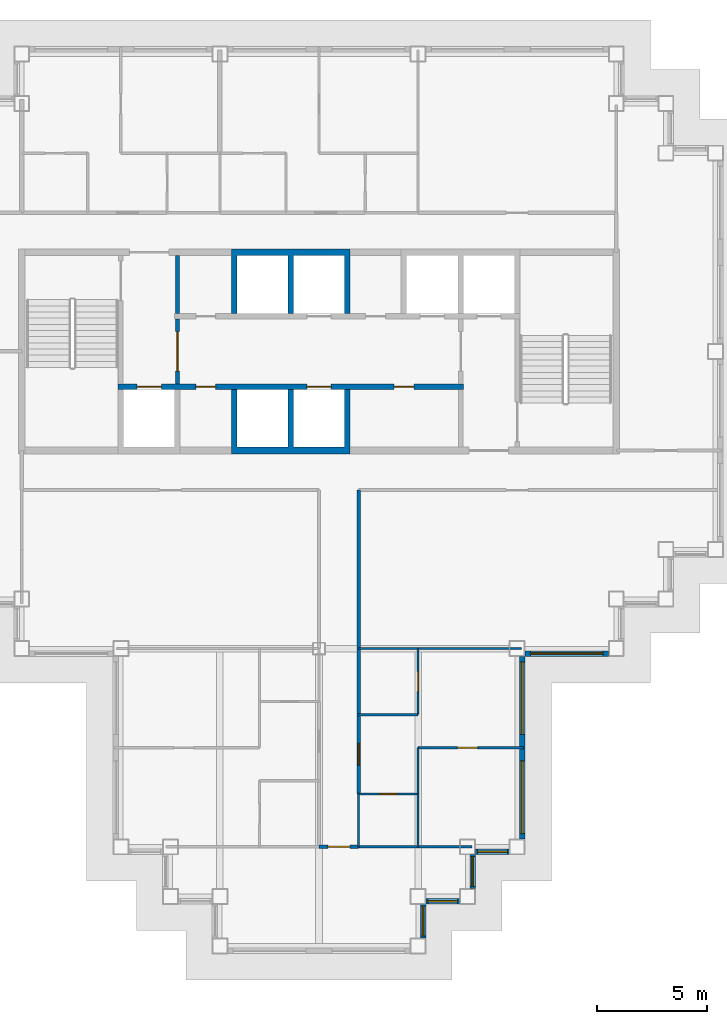
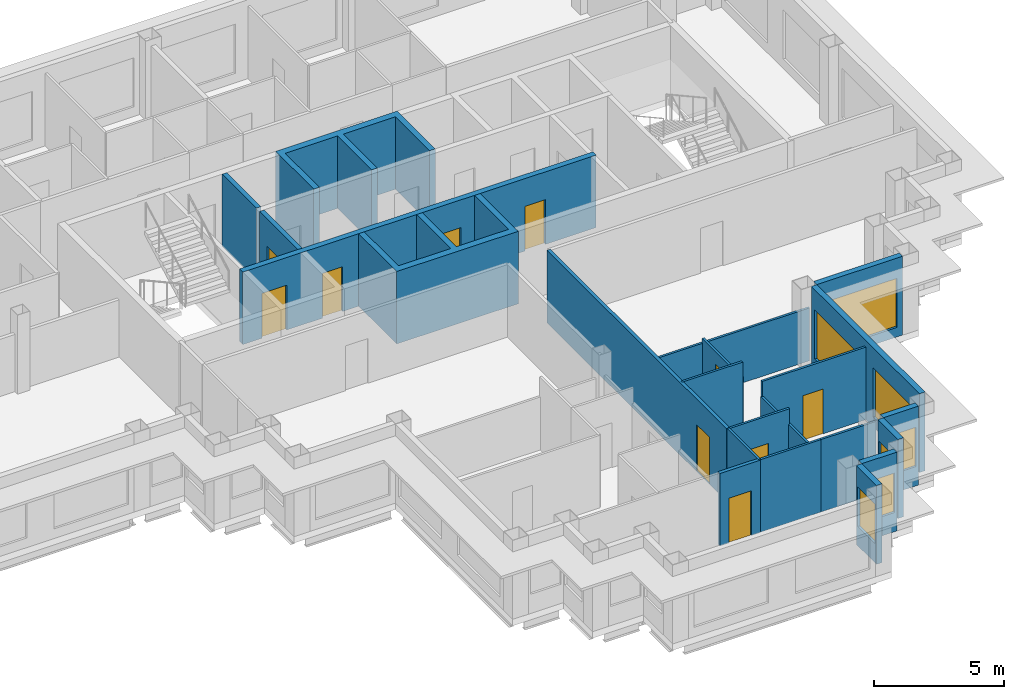
# One storey, part 4 of 11: 23 walls, 10 doors, 7 windows, 17 openings.
"""IFC4 building model written with IfcOpenShell, lengths in metres."""

from ifc_helpers import new_model, si_unit, direction, frame, frame_2d, origin, place, context, subcontext, project, spatial, polyline, rectangle, outline, extrude, material, layer, layer_set, type_object, element, fill, save


model = new_model("IFC4")

# Units and contexts
model_context = context("Model", 3, precision=1e-05, world=origin(), true_north=direction((0.0, 1.0)))
body_context = subcontext(model_context, "Body", "Model", "MODEL_VIEW")
ifc_project = project(units=[si_unit("LENGTHUNIT", "METRE"), si_unit("AREAUNIT", "SQUARE_METRE"), si_unit("VOLUMEUNIT", "CUBIC_METRE"), si_unit("PLANEANGLEUNIT", "RADIAN"), si_unit("MASSUNIT", "GRAM", prefix="KILO")], contexts=[model_context])

# Site, building, storey
site_placement = place(None, origin())
site = spatial("IfcSite", under=ifc_project, at=site_placement, CompositionType="ELEMENT")
building_placement = place(site_placement, origin())
building = spatial("IfcBuilding", under=site, at=building_placement, Name="Caravel Reach Hotel and Residences", CompositionType="ELEMENT")
storey_placement = place(building_placement, frame((0.0, 0.0, 210.89990234375)))
storey = spatial("IfcBuildingStorey", under=building, at=storey_placement, Name="L53", CompositionType="ELEMENT", Elevation=210.89990234375)

# Wall
ifc_material_1 = material(Name="Gypsum board on steel stud", Category="steel")
ifc_layer_1 = layer(ifc_material_1, 0.10009765625)
ifc_layer_set_1 = layer_set([ifc_layer_1], Name="Bathroom pod wall 100 mm")
wall_type_1 = type_object("IfcWallType", Name="Bathroom pod wall 100 mm", PredefinedType="PARTITIONING", material=ifc_layer_set_1)
wall_1_placement = place(storey_placement, frame((33.300048828125, 4.5, 0.0), z_axis=(0.0, 0.0, 1.0), x_axis=(1.0, 0.0, 0.0)))
element("IfcWall", 1, at=wall_1_placement, inside=storey, type_object=wall_type_1, Name="L53 wall w072", PredefinedType="PARTITIONING", context=body_context, shape_type="SweptSolid", body=[
    extrude(rectangle(XDim=2.699951171875, YDim=0.10009765625, at=frame_2d((1.35009765625, 0.0))), origin(), (0.0, 0.0, 1.0), 3.400146484375),
])

# Wall, opening, door
wall_2_placement = place(storey_placement, frame((33.300048828125, 6.89990234375, 0.0), z_axis=(0.0, 0.0, 1.0), x_axis=(1.0, 0.0, 0.0)))
wall_2 = element("IfcWall", 2, at=wall_2_placement, inside=storey, type_object=wall_type_1, Name="L53 wall w073", PredefinedType="PARTITIONING", context=body_context, shape_type="SweptSolid", body=[
    extrude(rectangle(XDim=2.699951171875, YDim=0.10009765625, at=frame_2d((1.35009765625, 0.0))), origin(), (0.0, 0.0, 1.0), 3.400146484375),
])
opening_1_placement = place(wall_2_placement, frame((0.949951171875, 0.0, 0.0)))
opening_1 = element("IfcOpeningElement", 3, at=opening_1_placement, cuts=wall_2, Name="Opening D53-037", PredefinedType="OPENING", context=body_context, shape_type="SweptSolid", body=[
    extrude(rectangle(XDim=0.800048828125, YDim=2.10009765625, at=frame_2d((0.39990234375, 1.050048828125))), frame((0.0, 0.06005859375, 0.0), z_axis=(0.0, -1.0, 0.0), x_axis=(1.0, 0.0, 0.0)), (0.0, 0.0, 1.0), 0.1201171875),
])
ifc_material_2 = material(Name="Timber and steel door leaf", Category="steel")
door_type_1 = type_object("IfcDoorType", Name="Bathroom door 800 x 2100", OperationType="SINGLE_SWING_LEFT", PredefinedType="DOOR", material=ifc_material_2)
door_1_placement = place(opening_1_placement, origin())
door_1 = element("IfcDoor", 4, at=door_1_placement, inside=storey, type_object=door_type_1, Name="door D53-037", OperationType="SINGLE_SWING_RIGHT", OverallHeight=2.10009765625, OverallWidth=0.800048828125, PredefinedType="DOOR", context=body_context, shape_type="SweptSolid", body=[
    extrude(rectangle(XDim=0.800048828125, YDim=2.10009765625, at=frame_2d((0.39990234375, 1.050048828125))), frame((0.0, 0.02490234375, 0.0), z_axis=(0.0, -1.0, 0.0), x_axis=(1.0, 0.0, 0.0)), (0.0, 0.0, 1.0), 0.050048828125),
])
fill(opening_1, door_1)

# Walls
wall_3_placement = place(storey_placement, frame((33.300048828125, 4.5, 0.0), z_axis=(0.0, 0.0, 1.0), x_axis=(0.0, 1.0, 0.0)))
element("IfcWall", 5, at=wall_3_placement, inside=storey, type_object=wall_type_1, Name="L53 wall w078", PredefinedType="PARTITIONING", context=body_context, shape_type="SweptSolid", body=[
    extrude(rectangle(XDim=2.39990234375, YDim=0.10009765625, at=frame_2d((1.199951171875, 0.0))), origin(), (0.0, 0.0, 1.0), 3.400146484375),
])
wall_4_placement = place(storey_placement, frame((36.0, 4.5, 0.0), z_axis=(0.0, 0.0, 1.0), x_axis=(0.0, 1.0, 0.0)))
element("IfcWall", 6, at=wall_4_placement, inside=storey, type_object=wall_type_1, Name="L53 wall w081", PredefinedType="PARTITIONING", context=body_context, shape_type="SweptSolid", body=[
    extrude(rectangle(XDim=2.39990234375, YDim=0.10009765625, at=frame_2d((1.199951171875, 0.0))), origin(), (0.0, 0.0, 1.0), 2.68017578125),
])
ifc_material_3 = material(Name="Autoclaved aerated block wall")
ifc_layer_2 = layer(ifc_material_3, 0.199951171875)
ifc_layer_set_2 = layer_set([ifc_layer_2], Name="Compartment wall 200 mm EI 120")
wall_type_2 = type_object("IfcWallType", Name="Compartment wall 200 mm EI 120", PredefinedType="PARTITIONING", material=ifc_layer_set_2)
wall_5_placement = place(storey_placement, frame((25.071533203125, 28.72509765625, 0.0), z_axis=(0.0, 0.0, 1.0), x_axis=(0.0, 1.0, 0.0)))
element("IfcWall", 7, at=wall_5_placement, inside=storey, type_object=wall_type_2, Name="L53 store partition", PredefinedType="PARTITIONING", context=body_context, shape_type="SweptSolid", body=[
    extrude(rectangle(XDim=2.625, YDim=0.199951171875, at=frame_2d((1.3125, 0.0))), origin(), (0.0, 0.0, 1.0), 3.400146484375),
])

# Wall, opening, door
ifc_material_4 = material(Name="Gypsum board on steel stud, fire-rated", Category="steel")
ifc_layer_3 = layer(ifc_material_4, 0.14990234375)
ifc_layer_set_3 = layer_set([ifc_layer_3], Name="Corridor wall 150 mm EI 60")
wall_type_3 = type_object("IfcWallType", Name="Corridor wall 150 mm EI 60", PredefinedType="PARTITIONING", material=ifc_layer_set_3)
wall_6_placement = place(storey_placement, frame((31.5, 4.5, 0.0), z_axis=(0.0, 0.0, 1.0), x_axis=(1.0, 0.0, 0.0)))
wall_6 = element("IfcWall", 8, at=wall_6_placement, inside=storey, type_object=wall_type_3, Name="L53 wall w016", PredefinedType="PARTITIONING", context=body_context, shape_type="SweptSolid", body=[
    extrude(rectangle(XDim=1.800048828125, YDim=0.14990234375, at=frame_2d((0.89990234375, 0.0))), origin(), (0.0, 0.0, 1.0), 3.400146484375),
])
opening_2_placement = place(wall_6_placement, frame((0.39990234375, 0.0, 0.0)))
opening_2 = element("IfcOpeningElement", 9, at=opening_2_placement, cuts=wall_6, Name="Opening D53-042", PredefinedType="OPENING", context=body_context, shape_type="SweptSolid", body=[
    extrude(rectangle(XDim=1.0, YDim=2.10009765625, at=frame_2d((0.5, 1.050048828125))), frame((0.0, 0.0849609375, 0.0), z_axis=(0.0, -1.0, 0.0), x_axis=(1.0, 0.0, 0.0)), (0.0, 0.0, 1.0), 0.169921875),
])
ifc_material_5 = material(Name="Steel fire door leaf", Category="steel")
door_type_2 = type_object("IfcDoorType", Name="Fire door 1000 x 2100 EI 60", OperationType="SINGLE_SWING_LEFT", PredefinedType="DOOR", material=ifc_material_5)
door_2_placement = place(opening_2_placement, origin())
door_2 = element("IfcDoor", 10, at=door_2_placement, inside=storey, type_object=door_type_2, Name="door D53-042", OperationType="SINGLE_SWING_LEFT", OverallHeight=2.10009765625, OverallWidth=1.0, PredefinedType="DOOR", context=body_context, shape_type="SweptSolid", body=[
    extrude(rectangle(XDim=1.0, YDim=2.10009765625, at=frame_2d((0.5, 1.050048828125))), frame((0.0, 0.02490234375, 0.0), z_axis=(0.0, -1.0, 0.0), x_axis=(1.0, 0.0, 0.0)), (0.0, 0.0, 1.0), 0.050048828125),
])
fill(opening_2, door_2)

wall_7_placement = place(storey_placement, frame((33.300048828125, 6.89990234375, 0.0), z_axis=(0.0, 0.0, 1.0), x_axis=(0.0, 1.0, 0.0)))
wall_7 = element("IfcWall", 11, at=wall_7_placement, inside=storey, type_object=wall_type_3, Name="L53 wall w022", PredefinedType="PARTITIONING", context=body_context, shape_type="SweptSolid", body=[
    extrude(rectangle(XDim=13.799072265625, YDim=0.14990234375, at=frame_2d((6.8994140625, 0.0))), origin(), (0.0, 0.0, 1.0), 3.400146484375),
])
opening_3_placement = place(wall_7_placement, frame((1.300048828125, 0.0, 0.0)))
opening_3 = element("IfcOpeningElement", 12, at=opening_3_placement, cuts=wall_7, Name="Opening D53-036", PredefinedType="OPENING", context=body_context, shape_type="SweptSolid", body=[
    extrude(rectangle(XDim=1.0, YDim=2.199951171875, at=frame_2d((0.5, 1.10009765625))), frame((0.0, 0.0849609375, 0.0), z_axis=(0.0, -1.0, 0.0), x_axis=(1.0, 0.0, 0.0)), (0.0, 0.0, 1.0), 0.169921875),
])
ifc_material_6 = material(Name="Steel fire door leaf", Category="steel")
door_type_3 = type_object("IfcDoorType", Name="Flat entrance door 1000 x 2200 EI 60", OperationType="SINGLE_SWING_LEFT", PredefinedType="DOOR", material=ifc_material_6)
door_3_placement = place(opening_3_placement, origin())
door_3 = element("IfcDoor", 13, at=door_3_placement, inside=storey, type_object=door_type_3, Name="door D53-036", OperationType="SINGLE_SWING_RIGHT", OverallHeight=2.199951171875, OverallWidth=1.0, PredefinedType="DOOR", context=body_context, shape_type="SweptSolid", body=[
    extrude(rectangle(XDim=1.0, YDim=2.199951171875, at=frame_2d((0.5, 1.10009765625))), frame((0.0, 0.02490234375, 0.0), z_axis=(0.0, -1.0, 0.0), x_axis=(1.0, 0.0, 0.0)), (0.0, 0.0, 1.0), 0.050048828125),
])
fill(opening_3, door_3)

# Wall, opening, window
ifc_material_7 = material(Name="Insulated rainscreen wall, aluminium cladding", Category="aluminium")
ifc_layer_4 = layer(ifc_material_7, 0.25)
ifc_layer_set_4 = layer_set([ifc_layer_4], Name="EW1 Tower rainscreen wall")
wall_type_4 = type_object("IfcWallType", Name="EW1 Tower rainscreen wall", PredefinedType="SOLIDWALL", material=ifc_layer_set_4)
wall_8_placement = place(storey_placement, frame((40.85009765625, 13.27490234375, 0.0), z_axis=(0.0, 0.0, 1.0), x_axis=(1.0, 0.0, 0.0)))
wall_8 = element("IfcWall", 14, at=wall_8_placement, inside=storey, type_object=wall_type_4, Name="External wall L53 S1.1", PredefinedType="SOLIDWALL", context=body_context, shape_type="SweptSolid", body=[
    extrude(rectangle(XDim=3.7998046875, YDim=0.25, at=frame_2d((1.89990234375, 0.0))), origin(), (0.0, 0.0, 1.0), 3.7001953125),
])
opening_4_placement = place(wall_8_placement, frame((0.25, 0.0, 0.449951171875)))
opening_4 = element("IfcOpeningElement", 15, at=opening_4_placement, cuts=wall_8, Name="Opening WN15", PredefinedType="OPENING", context=body_context, shape_type="SweptSolid", body=[
    extrude(rectangle(XDim=3.300048828125, YDim=2.300048828125, at=frame_2d((1.64990234375, 1.14990234375))), frame((0.0, 0.135009765625, 0.0), z_axis=(0.0, -1.0, 0.0), x_axis=(1.0, 0.0, 0.0)), (0.0, 0.0, 1.0), 0.27001953125),
])
ifc_material_8 = material(Name="Dark low-e glazing in black aluminium frame", Category="aluminium")
window_type_1 = type_object("IfcWindowType", Name="Residence living window 3300 x 2300", PartitioningType="SINGLE_PANEL", PredefinedType="WINDOW", material=ifc_material_8)
window_1_placement = place(opening_4_placement, origin())
window_1 = element("IfcWindow", 16, at=window_1_placement, inside=storey, type_object=window_type_1, Name="Window L53 S1.1.1", OverallHeight=2.300048828125, OverallWidth=3.300048828125, PartitioningType="SINGLE_PANEL", PredefinedType="WINDOW", context=body_context, shape_type="SweptSolid", body=[
    extrude(rectangle(XDim=3.300048828125, YDim=2.300048828125, at=frame_2d((1.64990234375, 1.14990234375))), frame((0.0, 0.030029296875, 0.0), z_axis=(0.0, -1.0, 0.0), x_axis=(1.0, 0.0, 0.0)), (0.0, 0.0, 1.0), 0.06005859375),
])
fill(opening_4, window_1)

wall_9_placement = place(storey_placement, frame((36.22509765625, 0.35009765625, 0.0), z_axis=(0.0, 0.0, 1.0), x_axis=(0.0, 1.0, 0.0)))
wall_9 = element("IfcWall", 17, at=wall_9_placement, inside=storey, type_object=wall_type_4, Name="External wall L53 E36.1", PredefinedType="SOLIDWALL", context=body_context, shape_type="SweptSolid", body=[
    extrude(rectangle(XDim=1.5498046875, YDim=0.25, at=frame_2d((0.77490234375, 0.0))), origin(), (0.0, 0.0, 1.0), 3.7001953125),
])
opening_5_placement = place(wall_9_placement, frame((0.10009765625, 0.0, 0.89990234375)))
opening_5 = element("IfcOpeningElement", 18, at=opening_5_placement, cuts=wall_9, Name="Opening WN21", PredefinedType="OPENING", context=body_context, shape_type="SweptSolid", body=[
    extrude(rectangle(XDim=1.35009765625, YDim=1.85009765625, at=frame_2d((0.675048828125, 0.925048828125))), frame((0.0, 0.135009765625, 0.0), z_axis=(0.0, -1.0, 0.0), x_axis=(1.0, 0.0, 0.0)), (0.0, 0.0, 1.0), 0.27001953125),
])
ifc_material_9 = material(Name="Dark low-e glazing in black aluminium frame", Category="aluminium")
window_type_2 = type_object("IfcWindowType", Name="Residence bedroom window 1350 x 1850", PartitioningType="SINGLE_PANEL", PredefinedType="WINDOW", material=ifc_material_9)
window_2_placement = place(opening_5_placement, origin())
window_2 = element("IfcWindow", 19, at=window_2_placement, inside=storey, type_object=window_type_2, Name="Window L53 E36.1.1", OverallHeight=1.85009765625, OverallWidth=1.35009765625, PartitioningType="SINGLE_PANEL", PredefinedType="WINDOW", context=body_context, shape_type="SweptSolid", body=[
    extrude(rectangle(XDim=1.35009765625, YDim=1.85009765625, at=frame_2d((0.675048828125, 0.925048828125))), frame((0.0, 0.030029296875, 0.0), z_axis=(0.0, -1.0, 0.0), x_axis=(1.0, 0.0, 0.0)), (0.0, 0.0, 1.0), 0.06005859375),
])
fill(opening_5, window_2)

wall_10_placement = place(storey_placement, frame((36.35009765625, 2.02490234375, 0.0), z_axis=(0.0, 0.0, 1.0), x_axis=(1.0, 0.0, 0.0)))
wall_10 = element("IfcWall", 20, at=wall_10_placement, inside=storey, type_object=wall_type_4, Name="External wall L53 S37.1", PredefinedType="SOLIDWALL", context=body_context, shape_type="SweptSolid", body=[
    extrude(rectangle(XDim=1.5498046875, YDim=0.25, at=frame_2d((0.77490234375, 0.0))), origin(), (0.0, 0.0, 1.0), 3.7001953125),
])
opening_6_placement = place(wall_10_placement, frame((0.10009765625, 0.0, 0.89990234375)))
opening_6 = element("IfcOpeningElement", 21, at=opening_6_placement, cuts=wall_10, Name="Opening WN21", PredefinedType="OPENING", context=body_context, shape_type="SweptSolid", body=[
    extrude(rectangle(XDim=1.35009765625, YDim=1.85009765625, at=frame_2d((0.675048828125, 0.925048828125))), frame((0.0, 0.135009765625, 0.0), z_axis=(0.0, -1.0, 0.0), x_axis=(1.0, 0.0, 0.0)), (0.0, 0.0, 1.0), 0.27001953125),
])
window_3_placement = place(opening_6_placement, origin())
window_3 = element("IfcWindow", 22, at=window_3_placement, inside=storey, type_object=window_type_2, Name="Window L53 S37.1.1", OverallHeight=1.85009765625, OverallWidth=1.35009765625, PartitioningType="SINGLE_PANEL", PredefinedType="WINDOW", context=body_context, shape_type="SweptSolid", body=[
    extrude(rectangle(XDim=1.35009765625, YDim=1.85009765625, at=frame_2d((0.675048828125, 0.925048828125))), frame((0.0, 0.030029296875, 0.0), z_axis=(0.0, -1.0, 0.0), x_axis=(1.0, 0.0, 0.0)), (0.0, 0.0, 1.0), 0.06005859375),
])
fill(opening_6, window_3)

wall_11_placement = place(storey_placement, frame((38.47509765625, 2.60009765625, 0.0), z_axis=(0.0, 0.0, 1.0), x_axis=(0.0, 1.0, 0.0)))
wall_11 = element("IfcWall", 23, at=wall_11_placement, inside=storey, type_object=wall_type_4, Name="External wall L53 E38.1", PredefinedType="SOLIDWALL", context=body_context, shape_type="SweptSolid", body=[
    extrude(rectangle(XDim=1.5498046875, YDim=0.25, at=frame_2d((0.77490234375, 0.0))), origin(), (0.0, 0.0, 1.0), 3.7001953125),
])
opening_7_placement = place(wall_11_placement, frame((0.10009765625, 0.0, 0.89990234375)))
opening_7 = element("IfcOpeningElement", 24, at=opening_7_placement, cuts=wall_11, Name="Opening WN21", PredefinedType="OPENING", context=body_context, shape_type="SweptSolid", body=[
    extrude(rectangle(XDim=1.35009765625, YDim=1.85009765625, at=frame_2d((0.675048828125, 0.925048828125))), frame((0.0, 0.135009765625, 0.0), z_axis=(0.0, -1.0, 0.0), x_axis=(1.0, 0.0, 0.0)), (0.0, 0.0, 1.0), 0.27001953125),
])
window_4_placement = place(opening_7_placement, origin())
window_4 = element("IfcWindow", 25, at=window_4_placement, inside=storey, type_object=window_type_2, Name="Window L53 E38.1.1", OverallHeight=1.85009765625, OverallWidth=1.35009765625, PartitioningType="SINGLE_PANEL", PredefinedType="WINDOW", context=body_context, shape_type="SweptSolid", body=[
    extrude(rectangle(XDim=1.35009765625, YDim=1.85009765625, at=frame_2d((0.675048828125, 0.925048828125))), frame((0.0, 0.030029296875, 0.0), z_axis=(0.0, -1.0, 0.0), x_axis=(1.0, 0.0, 0.0)), (0.0, 0.0, 1.0), 0.06005859375),
])
fill(opening_7, window_4)

wall_12_placement = place(storey_placement, frame((38.60009765625, 4.27490234375, 0.0), z_axis=(0.0, 0.0, 1.0), x_axis=(1.0, 0.0, 0.0)))
wall_12 = element("IfcWall", 26, at=wall_12_placement, inside=storey, type_object=wall_type_4, Name="External wall L53 S39.1", PredefinedType="SOLIDWALL", context=body_context, shape_type="SweptSolid", body=[
    extrude(rectangle(XDim=1.5498046875, YDim=0.25, at=frame_2d((0.77490234375, 0.0))), origin(), (0.0, 0.0, 1.0), 3.7001953125),
])
opening_8_placement = place(wall_12_placement, frame((0.10009765625, 0.0, 0.89990234375)))
opening_8 = element("IfcOpeningElement", 27, at=opening_8_placement, cuts=wall_12, Name="Opening WN21", PredefinedType="OPENING", context=body_context, shape_type="SweptSolid", body=[
    extrude(rectangle(XDim=1.35009765625, YDim=1.85009765625, at=frame_2d((0.675048828125, 0.925048828125))), frame((0.0, 0.135009765625, 0.0), z_axis=(0.0, -1.0, 0.0), x_axis=(1.0, 0.0, 0.0)), (0.0, 0.0, 1.0), 0.27001953125),
])
window_5_placement = place(opening_8_placement, origin())
window_5 = element("IfcWindow", 28, at=window_5_placement, inside=storey, type_object=window_type_2, Name="Window L53 S39.1.1", OverallHeight=1.85009765625, OverallWidth=1.35009765625, PartitioningType="SINGLE_PANEL", PredefinedType="WINDOW", context=body_context, shape_type="SweptSolid", body=[
    extrude(rectangle(XDim=1.35009765625, YDim=1.85009765625, at=frame_2d((0.675048828125, 0.925048828125))), frame((0.0, 0.030029296875, 0.0), z_axis=(0.0, -1.0, 0.0), x_axis=(1.0, 0.0, 0.0)), (0.0, 0.0, 1.0), 0.06005859375),
])
fill(opening_8, window_5)

# Wall, openings, windows
wall_13_placement = place(storey_placement, frame((40.72509765625, 4.85009765625, 0.0), z_axis=(0.0, 0.0, 1.0), x_axis=(0.0, 1.0, 0.0)))
wall_13 = element("IfcWall", 29, at=wall_13_placement, inside=storey, type_object=wall_type_4, Name="External wall L53 E40.1", PredefinedType="SOLIDWALL", context=body_context, shape_type="SweptSolid", body=[
    extrude(rectangle(XDim=8.2998046875, YDim=0.25, at=frame_2d((4.14990234375, 0.0))), origin(), (0.0, 0.0, 1.0), 3.7001953125),
])
opening_9_placement = place(wall_13_placement, frame((0.25, 0.0, 0.449951171875)))
opening_9 = element("IfcOpeningElement", 30, at=opening_9_placement, cuts=wall_13, Name="Opening WN15", PredefinedType="OPENING", context=body_context, shape_type="SweptSolid", body=[
    extrude(rectangle(XDim=3.300048828125, YDim=2.300048828125, at=frame_2d((1.64990234375, 1.14990234375))), frame((0.0, 0.135009765625, 0.0), z_axis=(0.0, -1.0, 0.0), x_axis=(1.0, 0.0, 0.0)), (0.0, 0.0, 1.0), 0.27001953125),
])
opening_10_placement = place(wall_13_placement, frame((4.75, 0.0, 0.449951171875)))
opening_10 = element("IfcOpeningElement", 31, at=opening_10_placement, cuts=wall_13, Name="Opening WN15", PredefinedType="OPENING", context=body_context, shape_type="SweptSolid", body=[
    extrude(rectangle(XDim=3.300048828125, YDim=2.300048828125, at=frame_2d((1.64990234375, 1.14990234375))), frame((0.0, 0.135009765625, 0.0), z_axis=(0.0, -1.0, 0.0), x_axis=(1.0, 0.0, 0.0)), (0.0, 0.0, 1.0), 0.27001953125),
])
window_6_placement = place(opening_9_placement, origin())
window_6 = element("IfcWindow", 32, at=window_6_placement, inside=storey, type_object=window_type_1, Name="Window L53 E40.1.1", OverallHeight=2.300048828125, OverallWidth=3.300048828125, PartitioningType="SINGLE_PANEL", PredefinedType="WINDOW", context=body_context, shape_type="SweptSolid", body=[
    extrude(rectangle(XDim=3.300048828125, YDim=2.300048828125, at=frame_2d((1.64990234375, 1.14990234375))), frame((0.0, 0.030029296875, 0.0), z_axis=(0.0, -1.0, 0.0), x_axis=(1.0, 0.0, 0.0)), (0.0, 0.0, 1.0), 0.06005859375),
])
fill(opening_9, window_6)
window_7_placement = place(opening_10_placement, origin())
window_7 = element("IfcWindow", 33, at=window_7_placement, inside=storey, type_object=window_type_1, Name="Window L53 E40.1.2", OverallHeight=2.300048828125, OverallWidth=3.300048828125, PartitioningType="SINGLE_PANEL", PredefinedType="WINDOW", context=body_context, shape_type="SweptSolid", body=[
    extrude(rectangle(XDim=3.300048828125, YDim=2.300048828125, at=frame_2d((1.64990234375, 1.14990234375))), frame((0.0, 0.030029296875, 0.0), z_axis=(0.0, -1.0, 0.0), x_axis=(1.0, 0.0, 0.0)), (0.0, 0.0, 1.0), 0.06005859375),
])
fill(opening_10, window_7)

# Wall, opening, door
ifc_material_10 = material(Name="Autoclaved aerated block wall")
ifc_layer_5 = layer(ifc_material_10, 0.199951171875)
ifc_layer_set_5 = layer_set([ifc_layer_5], Name="Fire lobby wall 200 mm EI 120")
wall_type_5 = type_object("IfcWallType", Name="Fire lobby wall 200 mm EI 120", PredefinedType="PARTITIONING", material=ifc_layer_set_5)
wall_14_placement = place(storey_placement, frame((25.071533203125, 25.52490234375, 0.0), z_axis=(0.0, 0.0, 1.0), x_axis=(0.0, 1.0, 0.0)))
wall_14 = element("IfcWall", 34, at=wall_14_placement, inside=storey, type_object=wall_type_5, Name="L53 lobby W wall", PredefinedType="PARTITIONING", context=body_context, shape_type="SweptSolid", body=[
    extrude(rectangle(XDim=2.9501953125, YDim=0.199951171875, at=frame_2d((1.47509765625, 0.0))), origin(), (0.0, 0.0, 1.0), 3.400146484375),
])
opening_11_placement = place(wall_14_placement, frame((0.574951171875, 0.0, 0.0)))
opening_11 = element("IfcOpeningElement", 35, at=opening_11_placement, cuts=wall_14, Name="Opening D53-012", PredefinedType="OPENING", context=body_context, shape_type="SweptSolid", body=[
    extrude(rectangle(XDim=1.800048828125, YDim=2.10009765625, at=frame_2d((0.89990234375, 1.050048828125))), frame((0.0, 0.10986328125, 0.0), z_axis=(0.0, -1.0, 0.0), x_axis=(1.0, 0.0, 0.0)), (0.0, 0.0, 1.0), 0.219970703125),
])
ifc_material_11 = material(Name="Steel fire door leaf", Category="steel")
door_type_4 = type_object("IfcDoorType", Name="Fire lobby door pair 1800 x 2100 EI 90", OperationType="DOUBLE_DOOR_SINGLE_SWING", PredefinedType="DOOR", material=ifc_material_11)
door_4_placement = place(opening_11_placement, origin())
door_4 = element("IfcDoor", 36, at=door_4_placement, inside=storey, type_object=door_type_4, Name="lobby W door pair", OperationType="DOUBLE_DOOR_SINGLE_SWING", OverallHeight=2.10009765625, OverallWidth=1.800048828125, PredefinedType="DOOR", context=body_context, shape_type="SweptSolid", body=[
    extrude(rectangle(XDim=1.800048828125, YDim=2.10009765625, at=frame_2d((0.89990234375, 1.050048828125))), frame((0.0, 0.02490234375, 0.0), z_axis=(0.0, -1.0, 0.0), x_axis=(1.0, 0.0, 0.0)), (0.0, 0.0, 1.0), 0.050048828125),
])
fill(opening_11, door_4)

# Walls
ifc_material_12 = material(Name="Gypsum board on steel stud", Category="steel")
ifc_layer_6 = layer(ifc_material_12, 0.10009765625)
ifc_layer_set_6 = layer_set([ifc_layer_6], Name="Partition 100 mm")
wall_type_6 = type_object("IfcWallType", Name="Partition 100 mm", PredefinedType="PARTITIONING", material=ifc_layer_set_6)
wall_15_placement = place(storey_placement, frame((33.300048828125, 10.5, 0.0), z_axis=(0.0, 0.0, 1.0), x_axis=(1.0, 0.0, 0.0)))
element("IfcWall", 37, at=wall_15_placement, inside=storey, type_object=wall_type_6, Name="L53 wall w027", PredefinedType="PARTITIONING", context=body_context, shape_type="SweptSolid", body=[
    extrude(rectangle(XDim=2.699951171875, YDim=0.10009765625, at=frame_2d((1.35009765625, 0.0))), origin(), (0.0, 0.0, 1.0), 3.400146484375),
])
wall_16_placement = place(storey_placement, frame((33.301025390625, 13.5, 0.0), z_axis=(0.0, 0.0, 1.0), x_axis=(1.0, 0.0, 0.0)))
element("IfcWall", 38, at=wall_16_placement, inside=storey, type_object=wall_type_6, Name="L53 wall w029", PredefinedType="PARTITIONING", context=body_context, shape_type="SweptSolid", body=[
    extrude(rectangle(XDim=7.388916015625, YDim=0.10009765625, at=frame_2d((3.6943359375, 0.0))), origin(), (0.0, 0.0, 1.0), 2.47998046875),
])
wall_17_placement = place(storey_placement, frame((36.0, 4.5, 0.0), z_axis=(0.0, 0.0, 1.0), x_axis=(1.0, 0.0, 0.0)))
element("IfcWall", 39, at=wall_17_placement, inside=storey, type_object=wall_type_6, Name="L53 wall w038", PredefinedType="PARTITIONING", context=body_context, shape_type="SweptSolid", body=[
    extrude(rectangle(XDim=2.43994140625, YDim=0.10009765625, at=frame_2d((1.219970703125, 0.0))), origin(), (0.0, 0.0, 1.0), 3.400146484375),
])

# Wall, opening, door
wall_18_placement = place(storey_placement, frame((36.0, 9.0, 0.0), z_axis=(0.0, 0.0, 1.0), x_axis=(1.0, 0.0, 0.0)))
wall_18 = element("IfcWall", 40, at=wall_18_placement, inside=storey, type_object=wall_type_6, Name="L53 wall w042", PredefinedType="PARTITIONING", context=body_context, shape_type="SweptSolid", body=[
    extrude(rectangle(XDim=4.7900390625, YDim=0.10009765625, at=frame_2d((2.39501953125, 0.0))), origin(), (0.0, 0.0, 1.0), 3.400146484375),
])
opening_12_placement = place(wall_18_placement, frame((1.800048828125, 0.0, 0.0)))
opening_12 = element("IfcOpeningElement", 41, at=opening_12_placement, cuts=wall_18, Name="Opening D53-039", PredefinedType="OPENING", context=body_context, shape_type="SweptSolid", body=[
    extrude(rectangle(XDim=0.89990234375, YDim=2.10009765625, at=frame_2d((0.449951171875, 1.050048828125))), frame((0.0, 0.06005859375, 0.0), z_axis=(0.0, -1.0, 0.0), x_axis=(1.0, 0.0, 0.0)), (0.0, 0.0, 1.0), 0.1201171875),
])
ifc_material_13 = material(Name="Timber and steel door leaf", Category="steel")
door_type_5 = type_object("IfcDoorType", Name="Door 900 x 2100 timber", OperationType="SINGLE_SWING_LEFT", PredefinedType="DOOR", material=ifc_material_13)
door_5_placement = place(opening_12_placement, origin())
door_5 = element("IfcDoor", 42, at=door_5_placement, inside=storey, type_object=door_type_5, Name="door D53-039", OperationType="SINGLE_SWING_RIGHT", OverallHeight=2.10009765625, OverallWidth=0.89990234375, PredefinedType="DOOR", context=body_context, shape_type="SweptSolid", body=[
    extrude(rectangle(XDim=0.89990234375, YDim=2.10009765625, at=frame_2d((0.449951171875, 1.050048828125))), frame((0.0, 0.02490234375, 0.0), z_axis=(0.0, -1.0, 0.0), x_axis=(1.0, 0.0, 0.0)), (0.0, 0.0, 1.0), 0.050048828125),
])
fill(opening_12, door_5)

# Wall
wall_19_placement = place(storey_placement, frame((36.0, 6.89990234375, 0.0), z_axis=(0.0, 0.0, 1.0), x_axis=(0.0, 1.0, 0.0)))
element("IfcWall", 43, at=wall_19_placement, inside=storey, type_object=wall_type_6, Name="L53 wall w055", PredefinedType="PARTITIONING", context=body_context, shape_type="SweptSolid", body=[
    extrude(rectangle(XDim=2.10009765625, YDim=0.10009765625, at=frame_2d((1.050048828125, 0.0))), origin(), (0.0, 0.0, 1.0), 2.68017578125),
])

# Wall, opening, door
wall_20_placement = place(storey_placement, frame((36.0, 10.5, 0.0), z_axis=(0.0, 0.0, 1.0), x_axis=(0.0, 1.0, 0.0)))
wall_20 = element("IfcWall", 44, at=wall_20_placement, inside=storey, type_object=wall_type_6, Name="L53 wall w056", PredefinedType="PARTITIONING", context=body_context, shape_type="SweptSolid", body=[
    extrude(rectangle(XDim=3.0, YDim=0.10009765625, at=frame_2d((1.5, 0.0))), origin(), (0.0, 0.0, 1.0), 2.68017578125),
])
opening_13_placement = place(wall_20_placement, frame((1.050048828125, 0.0, 0.0)))
opening_13 = element("IfcOpeningElement", 45, at=opening_13_placement, cuts=wall_20, Name="Opening D53-038", PredefinedType="OPENING", context=body_context, shape_type="SweptSolid", body=[
    extrude(rectangle(XDim=0.89990234375, YDim=2.10009765625, at=frame_2d((0.449951171875, 1.050048828125))), frame((0.0, 0.06005859375, 0.0), z_axis=(0.0, -1.0, 0.0), x_axis=(1.0, 0.0, 0.0)), (0.0, 0.0, 1.0), 0.1201171875),
])
door_6_placement = place(opening_13_placement, origin())
door_6 = element("IfcDoor", 46, at=door_6_placement, inside=storey, type_object=door_type_5, Name="door D53-038", OperationType="SINGLE_SWING_LEFT", OverallHeight=2.10009765625, OverallWidth=0.89990234375, PredefinedType="DOOR", context=body_context, shape_type="SweptSolid", body=[
    extrude(rectangle(XDim=0.89990234375, YDim=2.10009765625, at=frame_2d((0.449951171875, 1.050048828125))), frame((0.0, 0.02490234375, 0.0), z_axis=(0.0, -1.0, 0.0), x_axis=(1.0, 0.0, 0.0)), (0.0, 0.0, 1.0), 0.050048828125),
])
fill(opening_13, door_6)

# Walls
ifc_material_14 = material(Name="Concrete C60", Category="concrete")
ifc_layer_7 = layer(ifc_material_14, 0.25)
ifc_layer_set_7 = layer_set([ifc_layer_7], Name="Shaft wall 250 mm EI 120")
wall_type_7 = type_object("IfcWallType", Name="Shaft wall 250 mm EI 120", PredefinedType="SHEAR", material=ifc_layer_set_7)
wall_21_placement = place(storey_placement, origin())
element("IfcWall", 47, at=wall_21_placement, inside=storey, type_object=wall_type_7, Name="L53 lift shaft wall S2", PredefinedType="SHEAR", context=body_context, shape_type="SweptSolid", body=[
    extrude(outline(polyline([(27.517822265625, 22.35009765625), (32.91064453125, 22.35009765625), (32.91064453125, 25.27490234375), (32.66064453125, 25.27490234375), (32.66064453125, 22.64990234375), (30.33935546875, 22.64990234375), (30.33935546875, 25.27490234375), (30.08935546875, 25.27490234375), (30.08935546875, 22.64990234375), (27.767822265625, 22.64990234375), (27.767822265625, 25.27490234375), (27.517822265625, 25.27490234375), (27.517822265625, 22.35009765625)])), origin(), (0.0, 0.0, 1.0), 3.400146484375),
])
wall_22_placement = place(storey_placement, origin())
element("IfcWall", 48, at=wall_22_placement, inside=storey, type_object=wall_type_7, Name="L53 lift shaft wall N1", PredefinedType="SHEAR", context=body_context, shape_type="SweptSolid", body=[
    extrude(outline(polyline([(27.517822265625, 28.72509765625), (27.767822265625, 28.72509765625), (27.767822265625, 31.35009765625), (30.08935546875, 31.35009765625), (30.08935546875, 28.72509765625), (30.33935546875, 28.72509765625), (30.33935546875, 31.35009765625), (32.66064453125, 31.35009765625), (32.66064453125, 28.72509765625), (32.91064453125, 28.72509765625), (32.91064453125, 31.64990234375), (27.517822265625, 31.64990234375), (27.517822265625, 28.72509765625)])), origin(), (0.0, 0.0, 1.0), 3.400146484375),
])

# Wall, openings, doors
wall_23_placement = place(storey_placement, frame((22.375, 25.39990234375, 0.0), z_axis=(0.0, 0.0, 1.0), x_axis=(1.0, 0.0, 0.0)))
wall_23 = element("IfcWall", 49, at=wall_23_placement, inside=storey, type_object=wall_type_7, Name="L53 lobby wall S1", PredefinedType="SHEAR", context=body_context, shape_type="SweptSolid", body=[
    extrude(rectangle(XDim=15.678466796875, YDim=0.25, at=frame_2d((7.83935546875, 0.0))), origin(), (0.0, 0.0, 1.0), 3.400146484375),
])
opening_14_placement = place(wall_23_placement, frame((8.574951171875, 0.0, 0.0)))
opening_14 = element("IfcOpeningElement", 50, at=opening_14_placement, cuts=wall_23, Name="Opening D53-001", PredefinedType="OPENING", context=body_context, shape_type="SweptSolid", body=[
    extrude(rectangle(XDim=1.10009765625, YDim=2.10009765625, at=frame_2d((0.550048828125, 1.050048828125))), frame((0.0, 0.135009765625, 0.0), z_axis=(0.0, -1.0, 0.0), x_axis=(1.0, 0.0, 0.0)), (0.0, 0.0, 1.0), 0.27001953125),
])
opening_15_placement = place(wall_23_placement, frame((0.860595703125, 0.0, 0.0)))
opening_15 = element("IfcOpeningElement", 51, at=opening_15_placement, cuts=wall_23, Name="Opening D53-004", PredefinedType="OPENING", context=body_context, shape_type="SweptSolid", body=[
    extrude(rectangle(XDim=1.10009765625, YDim=2.10009765625, at=frame_2d((0.550048828125, 1.050048828125))), frame((0.0, 0.135009765625, 0.0), z_axis=(0.0, -1.0, 0.0), x_axis=(1.0, 0.0, 0.0)), (0.0, 0.0, 1.0), 0.27001953125),
])
opening_16_placement = place(wall_23_placement, frame((3.531982421875, 0.0, 0.0)))
opening_16 = element("IfcOpeningElement", 52, at=opening_16_placement, cuts=wall_23, Name="Opening D53-006", PredefinedType="OPENING", context=body_context, shape_type="SweptSolid", body=[
    extrude(rectangle(XDim=0.89990234375, YDim=2.10009765625, at=frame_2d((0.449951171875, 1.050048828125))), frame((0.0, 0.135009765625, 0.0), z_axis=(0.0, -1.0, 0.0), x_axis=(1.0, 0.0, 0.0)), (0.0, 0.0, 1.0), 0.27001953125),
])
opening_17_placement = place(wall_23_placement, frame((12.531982421875, 0.0, 0.0)))
opening_17 = element("IfcOpeningElement", 53, at=opening_17_placement, cuts=wall_23, Name="Opening D53-007", PredefinedType="OPENING", context=body_context, shape_type="SweptSolid", body=[
    extrude(rectangle(XDim=0.89990234375, YDim=2.10009765625, at=frame_2d((0.449951171875, 1.050048828125))), frame((0.0, 0.135009765625, 0.0), z_axis=(0.0, -1.0, 0.0), x_axis=(1.0, 0.0, 0.0)), (0.0, 0.0, 1.0), 0.27001953125),
])
ifc_material_15 = material(Name="Stainless steel landing door", Category="steel")
door_type_6 = type_object("IfcDoorType", Name="Landing door LD 1100 x 2100 sliding", OperationType="DOUBLE_DOOR_SLIDING", PredefinedType="DOOR", material=ifc_material_15)
door_7_placement = place(opening_14_placement, origin())
door_7 = element("IfcDoor", 54, at=door_7_placement, inside=storey, type_object=door_type_6, Name="MP1 landing door", OperationType="DOUBLE_DOOR_SLIDING", OverallHeight=2.10009765625, OverallWidth=1.10009765625, PredefinedType="DOOR", context=body_context, shape_type="SweptSolid", body=[
    extrude(rectangle(XDim=1.10009765625, YDim=2.10009765625, at=frame_2d((0.550048828125, 1.050048828125))), frame((0.0, 0.02490234375, 0.0), z_axis=(0.0, -1.0, 0.0), x_axis=(1.0, 0.0, 0.0)), (0.0, 0.0, 1.0), 0.050048828125),
])
fill(opening_14, door_7)
door_8_placement = place(opening_15_placement, origin())
door_8 = element("IfcDoor", 55, at=door_8_placement, inside=storey, type_object=door_type_6, Name="FL1 landing door", OperationType="DOUBLE_DOOR_SLIDING", OverallHeight=2.10009765625, OverallWidth=1.10009765625, PredefinedType="DOOR", context=body_context, shape_type="SweptSolid", body=[
    extrude(rectangle(XDim=1.10009765625, YDim=2.10009765625, at=frame_2d((0.550048828125, 1.050048828125))), frame((0.0, 0.02490234375, 0.0), z_axis=(0.0, -1.0, 0.0), x_axis=(1.0, 0.0, 0.0)), (0.0, 0.0, 1.0), 0.050048828125),
])
fill(opening_15, door_8)
ifc_material_16 = material(Name="Steel fire door leaf", Category="steel")
door_type_7 = type_object("IfcDoorType", Name="Riser door 900 x 2100 EI 60", OperationType="SINGLE_SWING_LEFT", PredefinedType="DOOR", material=ifc_material_16)
door_9_placement = place(opening_16_placement, origin())
door_9 = element("IfcDoor", 56, at=door_9_placement, inside=storey, type_object=door_type_7, Name="Recycling store door", OperationType="SINGLE_SWING_LEFT", OverallHeight=2.10009765625, OverallWidth=0.89990234375, PredefinedType="DOOR", context=body_context, shape_type="SweptSolid", body=[
    extrude(rectangle(XDim=0.89990234375, YDim=2.10009765625, at=frame_2d((0.449951171875, 1.050048828125))), frame((0.0, 0.02490234375, 0.0), z_axis=(0.0, -1.0, 0.0), x_axis=(1.0, 0.0, 0.0)), (0.0, 0.0, 1.0), 0.050048828125),
])
fill(opening_16, door_9)
door_10_placement = place(opening_17_placement, origin())
door_10 = element("IfcDoor", 57, at=door_10_placement, inside=storey, type_object=door_type_7, Name="Residents' store door", OperationType="SINGLE_SWING_LEFT", OverallHeight=2.10009765625, OverallWidth=0.89990234375, PredefinedType="DOOR", context=body_context, shape_type="SweptSolid", body=[
    extrude(rectangle(XDim=0.89990234375, YDim=2.10009765625, at=frame_2d((0.449951171875, 1.050048828125))), frame((0.0, 0.02490234375, 0.0), z_axis=(0.0, -1.0, 0.0), x_axis=(1.0, 0.0, 0.0)), (0.0, 0.0, 1.0), 0.050048828125),
])
fill(opening_17, door_10)

save(model, "model.ifc")
